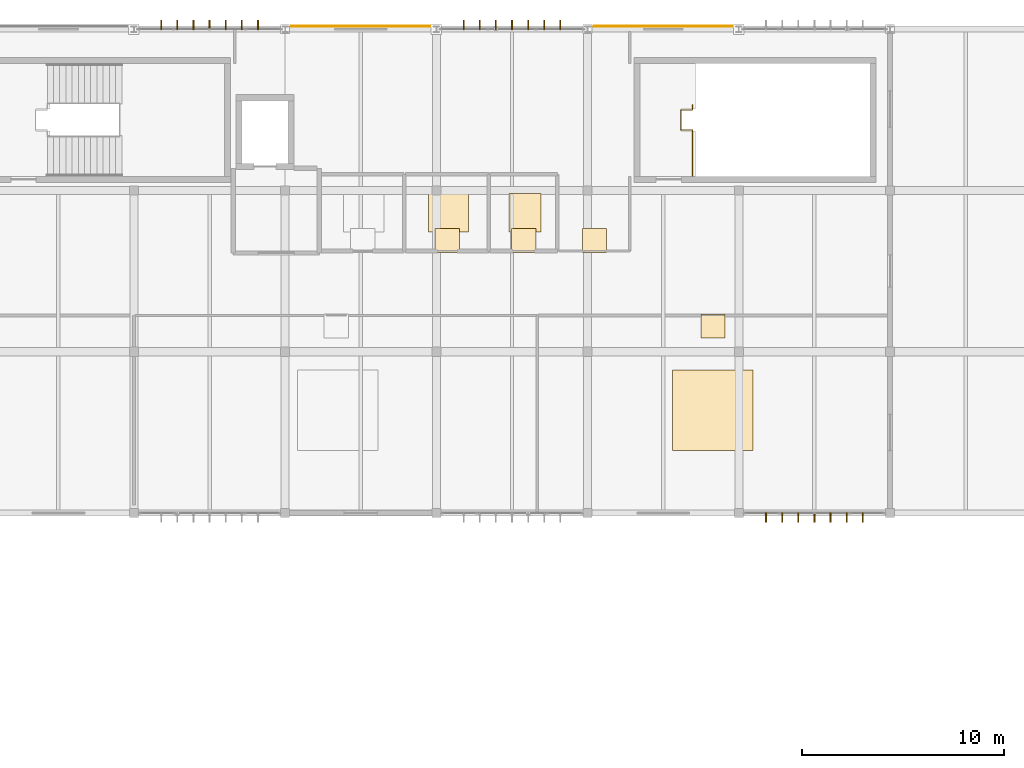
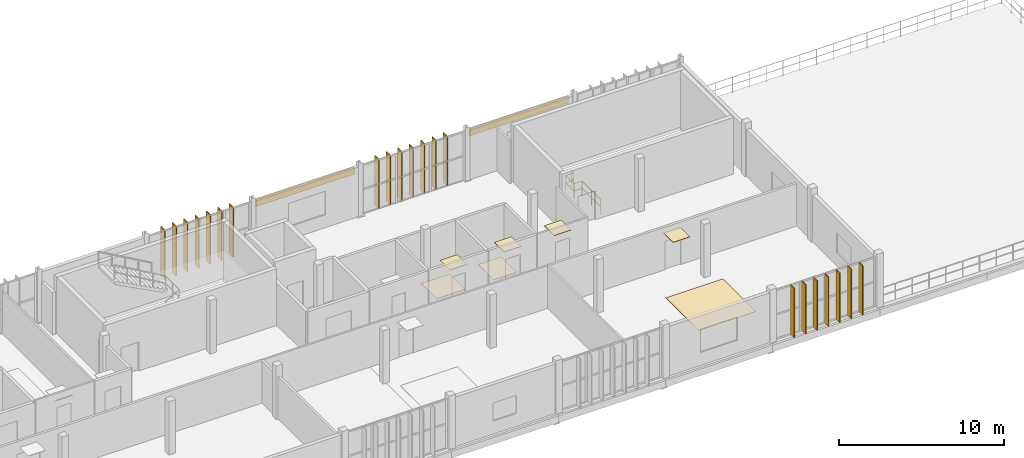
# One storey, part 25 of 26: 21 shading devices, 9 coverings, 1 railing.
"""IFC4 building model written with IfcOpenShell, lengths in metres."""

from ifc_helpers import new_model, si_unit, direction, frame, origin, origin_2d, place, context, subcontext, project, spatial, rectangle, circle, extrude, material, layer, layer_set, material_profile, profile_set, type_object, element, save


model = new_model("IFC4")

# Units and contexts
model_context = context("Model", 3, precision=1e-05, world=origin(), true_north=direction((0.0, 1.0)))
body_context = subcontext(model_context, "Body", "Model", "MODEL_VIEW")
ifc_project = project(units=[si_unit("LENGTHUNIT", "METRE"), si_unit("AREAUNIT", "SQUARE_METRE"), si_unit("VOLUMEUNIT", "CUBIC_METRE"), si_unit("PLANEANGLEUNIT", "RADIAN"), si_unit("MASSUNIT", "GRAM", prefix="KILO")], contexts=[model_context])

# Site, building, storey
site_placement = place(None, origin())
site = spatial("IfcSite", under=ifc_project, at=site_placement, CompositionType="ELEMENT")
building_placement = place(site_placement, origin())
building = spatial("IfcBuilding", under=site, at=building_placement, Name="Vourika Railside Aquatics Centre", CompositionType="ELEMENT")
storey_placement = place(building_placement, frame((0.0, 0.0, 17.699951171875)))
storey = spatial("IfcBuildingStorey", under=building, at=storey_placement, Name="L04", CompositionType="ELEMENT", Elevation=17.699951171875)

# Coverings
ifc_material_1 = material(Name="Perforated moisture-resistant acoustic gypsum ceiling")
ifc_layer_1 = layer(ifc_material_1, 0.02490234375, Name="COV-CEIL-25")
ifc_layer_set_1 = layer_set([ifc_layer_1], Name="Perforated moisture-resistant acoustic gypsum ceiling")
covering_type_1 = type_object("IfcCoveringType", Name="COV-CEIL-25", PredefinedType="CEILING", material=ifc_layer_set_1)
for number, where, z_axis, x_axis, name in (
    (1, (66.534912109375, 105.52001953125, 2.6376953125), (0.0, 0.0, 1.0), (1.0, 0.0, 0.0), "Academy Female WC Acoustic Ceiling Panel"),
    (2, (70.3349609375, 105.52001953125, 2.6376953125), (0.0, 0.0, 1.0), (1.0, 0.0, 0.0), "Academy Accessible WC Acoustic Ceiling Panel"),
    (3, (79.717529296875, 101.280029296875, 2.6376953125), (0.0, 0.0, 1.0), (1.0, 0.0, 0.0), "Aquatics Academy Seminar Hall Acoustic Ceiling Panel"),
    (4, (73.8349609375, 105.52001953125, 2.6376953125), (0.0, 0.0, 1.0), (1.0, 0.0, 0.0), "Officiating and Lifeguard Training Classroom Acoustic Ceiling Panel"),
):
    element("IfcCovering", number, at=place(storey_placement, frame(where, z_axis=z_axis, x_axis=x_axis)), inside=storey, type_object=covering_type_1, Name=name, PredefinedType="CEILING", context=body_context, shape_type="SweptSolid", body=[
        extrude(rectangle(XDim=1.199951171875, YDim=1.199951171875, at=origin_2d()), origin(), (0.0, 0.0, 1.0), 0.02490234375),
    ])
ifc_material_2 = material(Name="Bronze-anodized aluminium rainscreen", Category="aluminium")
ifc_layer_2 = layer(ifc_material_2, 0.044921875, Name="COV-CLAD-45")
ifc_layer_set_2 = layer_set([ifc_layer_2], Name="Bronze-anodized aluminium rainscreen")
covering_type_2 = type_object("IfcCoveringType", Name="COV-CLAD-45", PredefinedType="CLADDING", material=ifc_layer_set_2)
for number, where, z_axis, x_axis, name in (
    (5, (62.25, 116.14501953125, 3.044921875), (0.0, 0.0, 1.0), (-1.0, 0.0, 0.0), "Perforated Bronze Rainscreen Band CL-071"),
    (6, (77.25, 116.14501953125, 3.044921875), (0.0, 0.0, 1.0), (-1.0, 0.0, 0.0), "Perforated Bronze Rainscreen Band CL-072"),
):
    element("IfcCovering", number, at=place(storey_placement, frame(where, z_axis=z_axis, x_axis=x_axis)), inside=storey, type_object=covering_type_2, Name=name, PredefinedType="CLADDING", context=body_context, shape_type="SweptSolid", body=[
        extrude(rectangle(XDim=6.89990234375, YDim=0.044921875, at=origin_2d()), origin(), (0.0, 0.0, 1.0), 0.550048828125),
    ])
ifc_material_3 = material(Name="Slip-resistant aqua ceramic sports flooring")
ifc_layer_3 = layer(ifc_material_3, 0.02001953125, Name="COV-FLOR-20")
ifc_layer_set_3 = layer_set([ifc_layer_3], Name="Slip-resistant aqua ceramic sports flooring")
covering_type_3 = type_object("IfcCoveringType", Name="COV-FLOR-20", PredefinedType="FLOORING", material=ifc_layer_set_3)
covering_1_placement = place(storey_placement, frame((66.60009765625, 106.89990234375, 0.0), z_axis=(0.0, 0.0, 1.0), x_axis=(1.0, 0.0, 0.0)))
element("IfcCovering", 7, at=covering_1_placement, inside=storey, type_object=covering_type_3, Name="Academy Female WC Sports Flooring Panel", PredefinedType="FLOORING", context=body_context, shape_type="SweptSolid", body=[
    extrude(rectangle(XDim=2.0, YDim=1.89990234375, at=origin_2d()), origin(), (0.0, 0.0, 1.0), 0.02001953125),
])
covering_2_placement = place(storey_placement, frame((70.39990234375, 106.89990234375, 0.0), z_axis=(0.0, 0.0, 1.0), x_axis=(1.0, 0.0, 0.0)))
element("IfcCovering", 8, at=covering_2_placement, inside=storey, type_object=covering_type_3, Name="Academy Accessible WC Sports Flooring Panel", PredefinedType="FLOORING", context=body_context, shape_type="SweptSolid", body=[
    extrude(rectangle(XDim=1.60009765625, YDim=1.89990234375, at=origin_2d()), origin(), (0.0, 0.0, 1.0), 0.02001953125),
])
covering_3_placement = place(storey_placement, frame((79.699951171875, 97.10009765625, 0.0), z_axis=(0.0, 0.0, 1.0), x_axis=(1.0, 0.0, 0.0)))
element("IfcCovering", 9, at=covering_3_placement, inside=storey, type_object=covering_type_3, Name="Aquatics Academy Seminar Hall Sports Flooring Panel", PredefinedType="FLOORING", context=body_context, shape_type="SweptSolid", body=[
    extrude(rectangle(XDim=4.0, YDim=4.0, at=origin_2d()), origin(), (0.0, 0.0, 1.0), 0.02001953125),
])

# Railing
ifc_material_4 = material(Name="Duplex stainless steel EN 1.4462", Category="steel")
railing_type = type_object("IfcRailingType", Name="RL-STAIR-1120", PredefinedType="BALUSTRADE", material=ifc_material_4)
railing_placement = place(storey_placement, frame((78.699951171875, 108.719970703125, 0.0)))
element("IfcRailing", 10, at=railing_placement, inside=storey, type_object=railing_type, Name="Protected Exit Stair Core ST03 Well Edge Guard (L04)", PredefinedType="BALUSTRADE", context=body_context, shape_type="SweptSolid", body=[
    extrude(circle(Radius=0.02392578125, at=origin_2d()), frame((0.0, 0.0, 1.09619140625), z_axis=(0.0, 1.0, 0.0), x_axis=(-1.0, 0.0, 0.0)), (0.0, 0.0, 1.0), 2.280029296875),
    extrude(circle(Radius=0.02392578125, at=origin_2d()), frame((0.0, 0.0, 0.56005859375), z_axis=(0.0, 1.0, 0.0), x_axis=(-1.0, 0.0, 0.0)), (0.0, 0.0, 1.0), 2.280029296875),
    extrude(circle(Radius=0.02392578125, at=origin_2d()), frame((0.0, 2.280029296875, 1.09619140625), z_axis=(-1.0, 0.0, 0.0), x_axis=(0.0, -1.0, 0.0)), (0.0, 0.0, 1.0), 0.570068359375),
    extrude(circle(Radius=0.02392578125, at=origin_2d()), frame((0.0, 2.280029296875, 0.56005859375), z_axis=(-1.0, 0.0, 0.0), x_axis=(0.0, -1.0, 0.0)), (0.0, 0.0, 1.0), 0.570068359375),
    extrude(circle(Radius=0.02392578125, at=origin_2d()), frame((-0.570068359375, 2.280029296875, 1.09619140625), z_axis=(0.0, 1.0, 0.0), x_axis=(-1.0, 0.0, 0.0)), (0.0, 0.0, 1.0), 1.0),
    extrude(circle(Radius=0.02392578125, at=origin_2d()), frame((-0.570068359375, 2.280029296875, 0.56005859375), z_axis=(0.0, 1.0, 0.0), x_axis=(-1.0, 0.0, 0.0)), (0.0, 0.0, 1.0), 1.0),
    extrude(circle(Radius=0.02392578125, at=origin_2d()), frame((-0.570068359375, 3.280029296875, 1.09619140625), z_axis=(1.0, 0.0, 0.0), x_axis=(0.0, 1.0, 0.0)), (0.0, 0.0, 1.0), 0.570068359375),
    extrude(circle(Radius=0.02392578125, at=origin_2d()), frame((-0.570068359375, 3.280029296875, 0.56005859375), z_axis=(1.0, 0.0, 0.0), x_axis=(0.0, 1.0, 0.0)), (0.0, 0.0, 1.0), 0.570068359375),
    extrude(circle(Radius=0.02392578125, at=origin_2d()), frame((0.0, 3.280029296875, 1.09619140625), z_axis=(0.0, 1.0, 0.0), x_axis=(-1.0, 0.0, 0.0)), (0.0, 0.0, 1.0), 0.25),
    extrude(circle(Radius=0.02392578125, at=origin_2d()), frame((0.0, 3.280029296875, 0.56005859375), z_axis=(0.0, 1.0, 0.0), x_axis=(-1.0, 0.0, 0.0)), (0.0, 0.0, 1.0), 0.25),
    extrude(circle(Radius=0.02099609375, at=origin_2d()), origin(), (0.0, 0.0, 1.0), 1.072021484375),
    extrude(circle(Radius=0.02099609375, at=origin_2d()), frame((0.0, 1.14013671875, 0.0)), (0.0, 0.0, 1.0), 1.072021484375),
    extrude(circle(Radius=0.02099609375, at=origin_2d()), frame((0.0, 2.280029296875, 0.0)), (0.0, 0.0, 1.0), 1.072021484375),
    extrude(circle(Radius=0.02099609375, at=origin_2d()), frame((-0.570068359375, 2.280029296875, 0.0)), (0.0, 0.0, 1.0), 1.072021484375),
    extrude(circle(Radius=0.02099609375, at=origin_2d()), frame((-0.570068359375, 3.280029296875, 0.0)), (0.0, 0.0, 1.0), 1.072021484375),
    extrude(circle(Radius=0.02099609375, at=origin_2d()), frame((0.0, 3.280029296875, 0.0)), (0.0, 0.0, 1.0), 1.072021484375),
    extrude(circle(Radius=0.02099609375, at=origin_2d()), frame((0.0, 3.530029296875, 0.0)), (0.0, 0.0, 1.0), 1.072021484375),
])

# Shading devices
ifc_material_5 = material(Name="Bronze-anodized extruded aluminium", Category="aluminium")
ifc_material_profile = material_profile(ifc_material_5, rectangle(XDim=0.06005859375, YDim=0.47998046875, at=origin_2d()), Name="ALU-FIN 60x480")
ifc_profile_set = profile_set([ifc_material_profile], Name="Bronze-anodized extruded aluminium")
shading_device_type = type_object("IfcShadingDeviceType", Name="SHD-FIN-F48A", PredefinedType="USERDEFINED", material=ifc_profile_set)
for number, where, z_axis, x_axis, name in (
    (11, (52.35009765625, 116.215087890625, 0.0), (0.0, 0.0, 1.0), (1.0, 0.0, 0.0), "Vertical Solar Fin VSF-1132"),
    (12, (53.14990234375, 116.215087890625, 0.0), (0.0, 0.0, 1.0), (1.0, 0.0, 0.0), "Vertical Solar Fin VSF-1133"),
    (13, (53.949951171875, 116.215087890625, 0.0), (0.0, 0.0, 1.0), (1.0, 0.0, 0.0), "Vertical Solar Fin VSF-1134"),
    (14, (54.75, 116.215087890625, 0.0), (0.0, 0.0, 1.0), (1.0, 0.0, 0.0), "Vertical Solar Fin VSF-1135"),
    (15, (55.550048828125, 116.215087890625, 0.0), (0.0, 0.0, 1.0), (1.0, 0.0, 0.0), "Vertical Solar Fin VSF-1136"),
    (16, (56.35009765625, 116.215087890625, 0.0), (0.0, 0.0, 1.0), (1.0, 0.0, 0.0), "Vertical Solar Fin VSF-1137"),
    (17, (57.14990234375, 116.215087890625, 0.0), (0.0, 0.0, 1.0), (1.0, 0.0, 0.0), "Vertical Solar Fin VSF-1138"),
    (18, (67.35009765625, 116.215087890625, 0.0), (0.0, 0.0, 1.0), (1.0, 0.0, 0.0), "Vertical Solar Fin VSF-1139"),
    (19, (68.14990234375, 116.215087890625, 0.0), (0.0, 0.0, 1.0), (1.0, 0.0, 0.0), "Vertical Solar Fin VSF-1140"),
    (20, (68.949951171875, 116.215087890625, 0.0), (0.0, 0.0, 1.0), (1.0, 0.0, 0.0), "Vertical Solar Fin VSF-1141"),
    (21, (69.75, 116.215087890625, 0.0), (0.0, 0.0, 1.0), (1.0, 0.0, 0.0), "Vertical Solar Fin VSF-1142"),
    (22, (70.550048828125, 116.215087890625, 0.0), (0.0, 0.0, 1.0), (1.0, 0.0, 0.0), "Vertical Solar Fin VSF-1143"),
    (23, (71.35009765625, 116.215087890625, 0.0), (0.0, 0.0, 1.0), (1.0, 0.0, 0.0), "Vertical Solar Fin VSF-1144"),
    (24, (72.14990234375, 116.215087890625, 0.0), (0.0, 0.0, 1.0), (1.0, 0.0, 0.0), "Vertical Solar Fin VSF-1145"),
    (25, (82.35009765625, 91.784912109375, 0.0), (0.0, 0.0, 1.0), (-1.0, 0.0, 0.0), "Vertical Solar Fin VSF-1174"),
    (26, (83.14990234375, 91.784912109375, 0.0), (0.0, 0.0, 1.0), (-1.0, 0.0, 0.0), "Vertical Solar Fin VSF-1175"),
    (27, (83.949951171875, 91.784912109375, 0.0), (0.0, 0.0, 1.0), (-1.0, 0.0, 0.0), "Vertical Solar Fin VSF-1176"),
    (28, (84.75, 91.784912109375, 0.0), (0.0, 0.0, 1.0), (-1.0, 0.0, 0.0), "Vertical Solar Fin VSF-1177"),
    (29, (85.550048828125, 91.784912109375, 0.0), (0.0, 0.0, 1.0), (-1.0, 0.0, 0.0), "Vertical Solar Fin VSF-1178"),
    (30, (86.35009765625, 91.784912109375, 0.0), (0.0, 0.0, 1.0), (-1.0, 0.0, 0.0), "Vertical Solar Fin VSF-1179"),
    (31, (87.14990234375, 91.784912109375, 0.0), (0.0, 0.0, 1.0), (-1.0, 0.0, 0.0), "Vertical Solar Fin VSF-1180"),
):
    element("IfcShadingDevice", number, at=place(storey_placement, frame(where, z_axis=z_axis, x_axis=x_axis)), inside=storey, type_object=shading_device_type, Name=name, ObjectType="FIN", PredefinedType="USERDEFINED", context=body_context, shape_type="SweptSolid", body=[
        extrude(rectangle(XDim=0.06005859375, YDim=0.47998046875, at=origin_2d()), origin(), (0.0, 0.0, 1.0), 3.670166015625),
    ])

save(model, "model.ifc")
